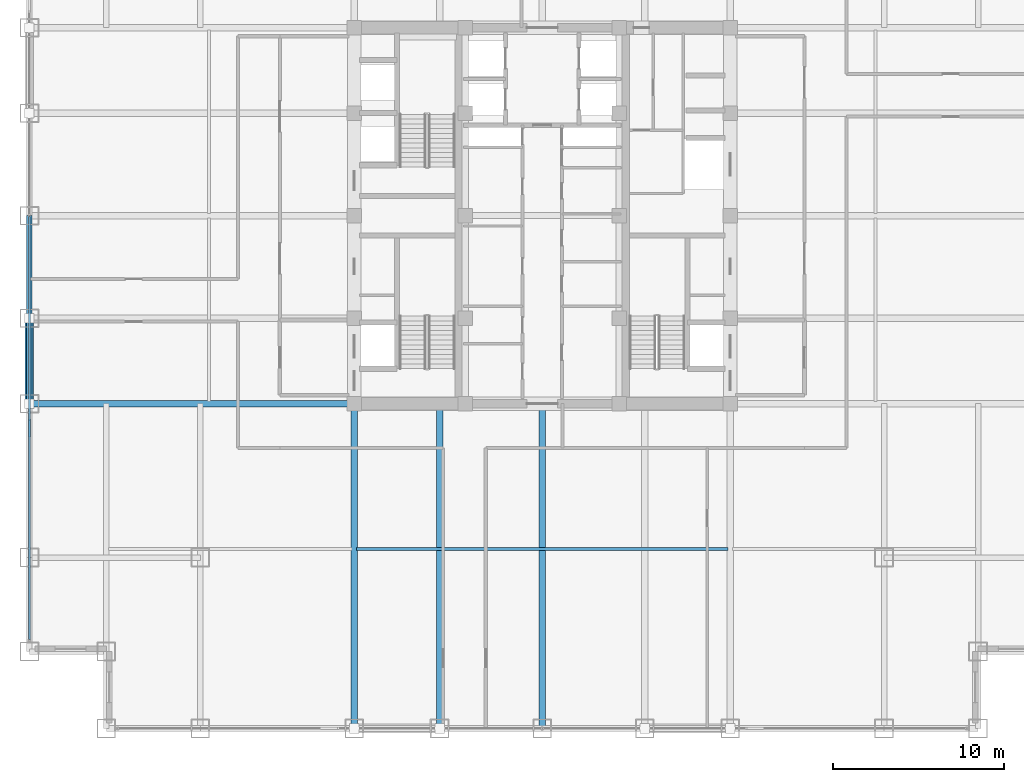
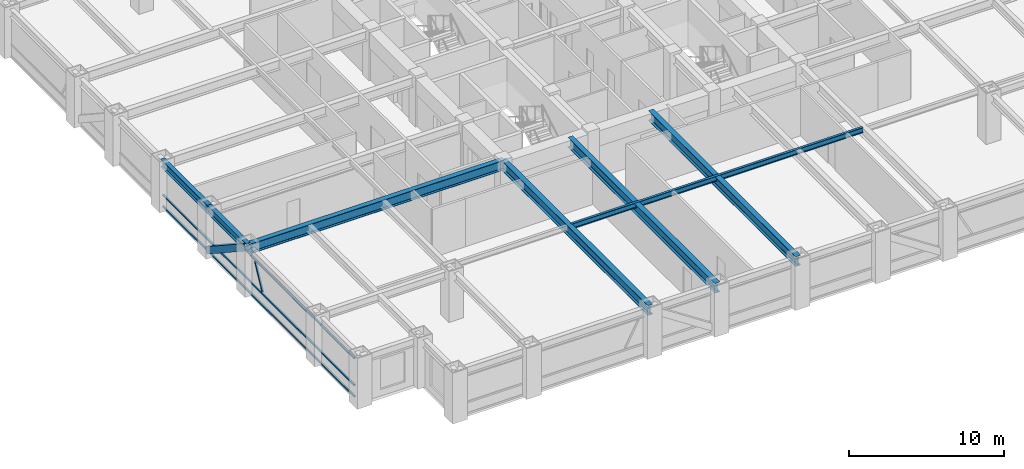
# One storey, part 5 of 24: 7 beams, 5 members, 1 element without a shape of its own.
"""IFC4 building model written with IfcOpenShell, lengths in metres."""

import ifcopenshell
import ifcopenshell.guid

model = None  # the IFC model being written
_history = None  # IfcOwnerHistory: only IFC2X3 demands one
_inside = {}  # id of a spatial element -> (the spatial element, [elements in it])
_under = {}  # id of a project, library or spatial element -> (it, [spatial elements below it])
_declared = {}  # id of a project -> (the project, [libraries it declares])
_typed = {}  # id of a type object -> (the type object, [elements of that type])
_made_of = {}  # id of a material, layer set ... -> (it, [elements and type objects made of it])


def new_model(schema):
    """Start an empty IFC model of exactly this schema.

    Asked for "IFC4X3", IfcOpenShell would pick the latest addendum, in which some entities
    have other attributes; the version numbers below select the first issue.
    IFC2X3 requires an IfcOwnerHistory on every rooted entity: one is made here for all.
    """
    global model, _history
    if schema == "IFC4X3":
        model = ifcopenshell.file(schema_version=(4, 3, 0, 0))
    else:
        model = ifcopenshell.file(schema=schema)
    _inside.clear()
    _under.clear()
    _declared.clear()
    _typed.clear()
    _made_of.clear()
    _history = None
    if model.schema == "IFC2X3":
        org = make("IfcOrganization", Name="unknown")
        user = make(
            "IfcPersonAndOrganization",
            ThePerson=make("IfcPerson", FamilyName="unknown"),
            TheOrganization=org,
        )
        app = make(
            "IfcApplication",
            ApplicationDeveloper=org,
            Version="unknown",
            ApplicationFullName="unknown",
            ApplicationIdentifier="unknown",
        )
        _history = make(
            "IfcOwnerHistory",
            OwningUser=user,
            OwningApplication=app,
            ChangeAction="ADDED",
            CreationDate=0,
        )
    return model


def make(cls, **values):
    """One entity of the class cls with the attributes given. An attribute that is None is left unset."""
    return model.create_entity(
        cls, **{name: value for name, value in values.items() if value is not None}
    )


def rooted(cls, **values):
    """An entity with a GlobalId (a new one), such as an element, a storey or a relation."""
    return make(cls, GlobalId=ifcopenshell.guid.new(), OwnerHistory=_history, **values)


def si_unit(unit_type, name, prefix=None):
    """IfcSIUnit, for example si_unit("LENGTHUNIT", "METRE", prefix="MILLI")."""
    return make("IfcSIUnit", UnitType=unit_type, Prefix=prefix, Name=name)


def assignment(units):
    """IfcUnitAssignment: the units of a project."""
    return None if units is None else make("IfcUnitAssignment", Units=units)


def point(xyz):
    """IfcCartesianPoint."""
    return None if xyz is None else make("IfcCartesianPoint", Coordinates=xyz)


def direction(xyz):
    """IfcDirection."""
    return None if xyz is None else make("IfcDirection", DirectionRatios=xyz)


def frame(location, z_axis=None, x_axis=None):
    """IfcAxis2Placement3D, a coordinate frame: its origin and axes. An axis left out is left unset."""
    return make(
        "IfcAxis2Placement3D",
        Location=point(location),
        Axis=direction(z_axis),
        RefDirection=direction(x_axis),
    )


def frame_2d(location, x_axis=None):
    """IfcAxis2Placement2D, a coordinate frame in the plane: its origin and x axis."""
    return make(
        "IfcAxis2Placement2D", Location=point(location), RefDirection=direction(x_axis)
    )


def origin():
    """The frame at (0, 0, 0) with its axes left unset."""
    return frame((0.0, 0.0, 0.0))


def origin_2d():
    """The frame at (0, 0) in the plane with its x axis left unset."""
    return frame_2d((0.0, 0.0))


def place(relative_to, where):
    """IfcLocalPlacement: puts the frame where relative to a parent placement (None: the world)."""
    return make(
        "IfcLocalPlacement", PlacementRelTo=relative_to, RelativePlacement=where
    )


def context(
    kind, dimensions, precision=None, world=None, true_north=None, identifier=None
):
    """IfcGeometricRepresentationContext, for example the 3D "Model" context."""
    return make(
        "IfcGeometricRepresentationContext",
        ContextIdentifier=identifier,
        ContextType=kind,
        CoordinateSpaceDimension=dimensions,
        Precision=precision,
        WorldCoordinateSystem=world,
        TrueNorth=true_north,
    )


def subcontext(parent, identifier, kind, view, scale=None):
    """IfcGeometricRepresentationSubContext, for example "Body" below "Model"."""
    return make(
        "IfcGeometricRepresentationSubContext",
        ContextIdentifier=identifier,
        ContextType=kind,
        ParentContext=parent,
        TargetScale=scale,
        TargetView=view,
    )


def project(units=None, contexts=None):
    """IfcProject with its units and contexts."""
    return rooted(
        "IfcProject",
        Name="project",
        RepresentationContexts=contexts,
        UnitsInContext=assignment(units),
    )


def spatial(cls, under=None, at=None, **own):
    """A site, building, storey or space (cls), placed at a placement, below another one or the project."""
    s = rooted(cls, ObjectPlacement=at, **own)
    if under is not None:
        _under.setdefault(under.id(), (under, []))[1].append(s)
    return s


def profile(cls, at=None, kind="AREA", **sizes):
    """A parametric profile (cls). Its sizes go by their IFC names, for example OverallWidth=200.0."""
    return make(cls, ProfileType=kind, Position=at, **sizes)


def hollow_rectangle(**sizes):
    """IfcRectangleHollowProfileDef."""
    return profile("IfcRectangleHollowProfileDef", **sizes)


def i_section(**sizes):
    """IfcIShapeProfileDef."""
    return profile("IfcIShapeProfileDef", **sizes)


def extrude(swept, where, along, depth):
    """IfcExtrudedAreaSolid: the profile swept, set in the frame where, extruded along a direction by depth."""
    return make(
        "IfcExtrudedAreaSolid",
        SweptArea=swept,
        Position=where,
        ExtrudedDirection=direction(along),
        Depth=depth,
    )


def shape(context_of_items, identifier, shape_type, items):
    """IfcShapeRepresentation: the items that make up one representation, for example the "Body"."""
    return make(
        "IfcShapeRepresentation",
        ContextOfItems=context_of_items,
        RepresentationIdentifier=identifier,
        RepresentationType=shape_type,
        Items=items,
    )


def source(mapping_origin, context_of_items, identifier, shape_type, items):
    """IfcRepresentationMap: a shape defined once, which mapped items show again and again."""
    return make(
        "IfcRepresentationMap",
        MappingOrigin=mapping_origin,
        MappedRepresentation=shape(context_of_items, identifier, shape_type, items),
    )


def transform(
    local_origin,
    x_axis=None,
    y_axis=None,
    z_axis=None,
    scale=None,
    scale2=None,
    scale3=None,
    uniform=True,
):
    """IfcCartesianTransformationOperator3D, or its non-uniform kind. x_axis, y_axis, z_axis: its Axis1, 2, 3."""
    if uniform:
        return make(
            "IfcCartesianTransformationOperator3D",
            Axis1=direction(x_axis),
            Axis2=direction(y_axis),
            LocalOrigin=point(local_origin),
            Scale=scale,
            Axis3=direction(z_axis),
        )
    return make(
        "IfcCartesianTransformationOperator3DnonUniform",
        Axis1=direction(x_axis),
        Axis2=direction(y_axis),
        LocalOrigin=point(local_origin),
        Scale=scale,
        Axis3=direction(z_axis),
        Scale2=scale2,
        Scale3=scale3,
    )


def mapped(mapping_source, mapping_target):
    """IfcMappedItem: shows the shape of a source again, moved by a transform."""
    return make(
        "IfcMappedItem", MappingSource=mapping_source, MappingTarget=mapping_target
    )


def material(Name=None, Category=None):
    """IfcMaterial."""
    return make("IfcMaterial", Name=Name, Category=Category)


def material_profile(
    of_material, cross_section, Name=None, Category=None, Priority=None
):
    """IfcMaterialProfile: a cross section and its material."""
    return make(
        "IfcMaterialProfile",
        Name=Name,
        Material=of_material,
        Profile=cross_section,
        Priority=Priority,
        Category=Category,
    )


def profile_set(profiles, Name=None, composite=None):
    """IfcMaterialProfileSet."""
    return make(
        "IfcMaterialProfileSet",
        Name=Name,
        MaterialProfiles=profiles,
        CompositeProfile=composite,
    )


def made_of(thing, what):
    """Note that an element or type object is made of a material, layer set ...; save() writes the relation."""
    if what is not None:
        _made_of.setdefault(what.id(), (what, []))[1].append(thing)
    return thing


def type_object(cls, material=None, **own):
    """A type object (cls), such as IfcWallType, which elements share."""
    return made_of(rooted(cls, **own), material)


def element(
    cls,
    number,
    at=None,
    inside=None,
    cuts=None,
    type_object=None,
    material=None,
    context=None,
    identifier="Body",
    shape_type=None,
    held_by="IfcProductDefinitionShape",
    body=None,
    shapes=None,
    **own,
):
    """One element of the class cls, such as IfcWall. Its Tag is "e" and its number.

    at: its placement. inside: the storey or other place that contains it. cuts: it is an
    opening in that element (IfcRelVoidsElement). A single representation is given by context,
    identifier, shape_type and body (its items); several are given by shapes. held_by: the class
    of the entity that holds the representations. save() writes the other relations.
    """
    e = rooted(cls, Tag="e%d" % number, ObjectPlacement=at, **own)
    if body is not None:
        shapes = [shape(context, identifier, shape_type, body)]
    if shapes is not None:
        e.Representation = make(held_by, Representations=shapes)
    if inside is not None:
        _inside.setdefault(inside.id(), (inside, []))[1].append(e)
    if cuts is not None:
        rooted(
            "IfcRelVoidsElement", RelatingBuildingElement=cuts, RelatedOpeningElement=e
        )
    if type_object is not None:
        _typed.setdefault(type_object.id(), (type_object, []))[1].append(e)
    return made_of(e, material)


def aggregate(whole, parts):
    """IfcRelAggregates: a whole, such as a stair, and the parts it consists of."""
    return rooted("IfcRelAggregates", RelatingObject=whole, RelatedObjects=parts)


def save(model, path):
    """Write the relations noted so far, then the file.

    IfcRelAggregates (storeys below a building ...), IfcRelContainedInSpatialStructure (elements
    in a storey), IfcRelDefinesByType, IfcRelAssociatesMaterial and IfcRelDeclares: one each for
    every whole, place, type object, material and project.
    """
    for whole, parts in _under.values():
        aggregate(whole, parts)
    for where, things in _inside.values():
        rooted(
            "IfcRelContainedInSpatialStructure",
            RelatedElements=things,
            RelatingStructure=where,
        )
    for kind, things in _typed.values():
        rooted("IfcRelDefinesByType", RelatedObjects=things, RelatingType=kind)
    for what, things in _made_of.values():
        rooted("IfcRelAssociatesMaterial", RelatedObjects=things, RelatingMaterial=what)
    for by, libraries in _declared.values():
        rooted("IfcRelDeclares", RelatingContext=by, RelatedDefinitions=libraries)
    model.write(path)


model = new_model("IFC4")

# Units and contexts
model_context = context("Model", 3, precision=1e-05, world=origin(), true_north=direction((0.0, 1.0)))
body_context = subcontext(model_context, "Body", "Model", "MODEL_VIEW")
ifc_project = project(units=[si_unit("LENGTHUNIT", "METRE"), si_unit("AREAUNIT", "SQUARE_METRE"), si_unit("VOLUMEUNIT", "CUBIC_METRE"), si_unit("PLANEANGLEUNIT", "RADIAN"), si_unit("MASSUNIT", "GRAM", prefix="KILO")], contexts=[model_context])

# Site, building, storey
site_placement = place(None, origin())
site = spatial("IfcSite", under=ifc_project, at=site_placement, CompositionType="ELEMENT")
building_placement = place(site_placement, origin())
building = spatial("IfcBuilding", under=site, at=building_placement, Name="Khorayat Bourse Tower", CompositionType="ELEMENT")
storey_placement = place(building_placement, frame((0.0, 0.0, 163.10009765625)))
storey = spatial("IfcBuildingStorey", under=building, at=storey_placement, Name="L37", CompositionType="ELEMENT", Elevation=163.10009765625)

# Beams
ifc_material_1 = material(Name="Steel ASTM A992 Grade 50", Category="steel")
ifc_material_profile_1 = material_profile(ifc_material_1, i_section(OverallWidth=0.381103515625, OverallDepth=0.77294921875, WebThickness=0.0166015625, FlangeThickness=0.027587890625, FilletRadius=0.01806640625, at=origin_2d()), Name="W760X257")
ifc_profile_set_1 = profile_set([ifc_material_profile_1], Name="Steel ASTM A992 Grade 50")
beam_type_1 = type_object("IfcBeamType", Name="BM-GIRD-760", PredefinedType="BEAM", material=ifc_profile_set_1)
shared_shape_1 = source(origin(), body_context, "Body", "SweptSolid", [
    extrude(i_section(OverallWidth=0.381103515625, OverallDepth=0.77294921875, WebThickness=0.0166015625, FlangeThickness=0.027587890625, FilletRadius=0.01806640625, at=origin_2d()), origin(), (0.0, 0.0, 1.0), 19.0),
])
for number, where, z_axis, x_axis, name in (
    (1, (-11.0, -30.0, 3.393310546875), (0.0, 1.0, 0.0), (-1.0, 0.0, 0.0), "L37 BM-GIRD-760 BM-L37-RADY-065"),
    (2, (-6.0, -30.0, 3.393310546875), (0.0, 1.0, 0.0), (-1.0, 0.0, 0.0), "L37 BM-GIRD-760 BM-L37-RADY-067"),
    (3, (0.0, -30.0, 3.393310546875), (0.0, 1.0, 0.0), (-1.0, 0.0, 0.0), "L37 BM-GIRD-760 BM-L37-RADY-069"),
    (4, (-30.0, -11.0, 3.393310546875), (1.0, 0.0, 0.0), (0.0, 1.0, 0.0), "L37 BM-GIRD-760 BM-L37-RADX-075"),
):
    element("IfcBeam", number, at=place(storey_placement, frame(where, z_axis=z_axis, x_axis=x_axis)), inside=storey, type_object=beam_type_1, Name=name, PredefinedType="BEAM", context=body_context, shape_type="MappedRepresentation", body=[
        mapped(shared_shape_1, transform((0.0, 0.0, 0.0), scale=1.0)),
    ])
ifc_material_profile_2 = material_profile(ifc_material_1, i_section(OverallWidth=0.180908203125, OverallDepth=0.4169921875, WebThickness=0.010986328125, FlangeThickness=0.018310546875, FilletRadius=0.011962890625, at=origin_2d()), Name="W410X85")
ifc_profile_set_2 = profile_set([ifc_material_profile_2], Name="Steel ASTM A992 Grade 50")
beam_type_2 = type_object("IfcBeamType", Name="BM-JOIST-410", PredefinedType="JOIST", material=ifc_profile_set_2)
shared_shape_2 = source(origin(), body_context, "Body", "SweptSolid", [
    extrude(i_section(OverallWidth=0.180908203125, OverallDepth=0.4169921875, WebThickness=0.010986328125, FlangeThickness=0.018310546875, FilletRadius=0.011962890625, at=origin_2d()), origin(), (0.0, 0.0, 1.0), 21.740234375),
])
beam_1_placement = place(storey_placement, frame((-10.8701171875, -19.5, 3.5712890625), z_axis=(1.0, 0.0, 0.0), x_axis=(0.0, 1.0, 0.0)))
element("IfcBeam", 5, at=beam_1_placement, inside=storey, type_object=beam_type_2, Name="L37 BM-JOIST-410 BM-L37-JSTX-097", PredefinedType="JOIST", context=body_context, shape_type="MappedRepresentation", body=[
    mapped(shared_shape_2, transform((0.0, 0.0, 0.0), scale=1.0)),
])
ifc_material_profile_3 = material_profile(ifc_material_1, i_section(OverallWidth=0.324951171875, OverallDepth=0.615966796875, WebThickness=0.013916015625, FlangeThickness=0.021484375, FilletRadius=0.01611328125, at=origin_2d()), Name="W610X174")
ifc_profile_set_3 = profile_set([ifc_material_profile_3], Name="Steel ASTM A992 Grade 50")
beam_type_3 = type_object("IfcBeamType", Name="BM-SPAN-610", PredefinedType="SPANDREL", material=ifc_profile_set_3)
shared_shape_3 = source(origin(), body_context, "Body", "SweptSolid", [
    extrude(i_section(OverallWidth=0.324951171875, OverallDepth=0.615966796875, WebThickness=0.013916015625, FlangeThickness=0.021484375, FilletRadius=0.01611328125, at=origin_2d()), origin(), (0.0, 0.0, 1.0), 5.0),
])
beam_2_placement = place(storey_placement, frame((-30.0, -11.0, 3.471923828125), z_axis=(0.0, 1.0, 0.0), x_axis=(-1.0, 0.0, 0.0)))
element("IfcBeam", 6, at=beam_2_placement, inside=storey, type_object=beam_type_3, Name="L37 BM-SPAN-610 BM-L37-SPN-059", PredefinedType="SPANDREL", context=body_context, shape_type="MappedRepresentation", body=[
    mapped(shared_shape_3, transform((0.0, 0.0, 0.0), scale=1.0)),
])
shared_shape_4 = source(origin(), body_context, "Body", "SweptSolid", [
    extrude(i_section(OverallWidth=0.324951171875, OverallDepth=0.615966796875, WebThickness=0.013916015625, FlangeThickness=0.021484375, FilletRadius=0.01611328125, at=origin_2d()), origin(), (0.0, 0.0, 1.0), 6.0),
])
beam_3_placement = place(storey_placement, frame((-30.0, -6.0, 3.471923828125), z_axis=(0.0, 1.0, 0.0), x_axis=(-1.0, 0.0, 0.0)))
element("IfcBeam", 7, at=beam_3_placement, inside=storey, type_object=beam_type_3, Name="L37 BM-SPAN-610 BM-L37-SPN-058", PredefinedType="SPANDREL", context=body_context, shape_type="MappedRepresentation", body=[
    mapped(shared_shape_4, transform((0.0, 0.0, 0.0), scale=1.0)),
])

# Member
ifc_material_2 = material(Name="Steel EN 10025-4 S460M", Category="steel")
ifc_material_profile_4 = material_profile(ifc_material_2, hollow_rectangle(XDim=0.5, YDim=0.5, WallThickness=0.028076171875, at=origin_2d()), Name="HSS 500x500x28")
ifc_profile_set_4 = profile_set([ifc_material_profile_4], Name="Steel EN 10025-4 S460M")
member_type_1 = type_object("IfcMemberType", Name="MBR-TUBE-500", PredefinedType="BRACE", material=ifc_profile_set_4)
shared_shape_5 = source(origin(), body_context, "Body", "SweptSolid", [
    extrude(hollow_rectangle(XDim=0.5, YDim=0.5, WallThickness=0.028076171875, at=origin_2d()), origin(), (0.0, 0.0, 1.0), 5.979736328125),
])
member_1_placement = place(storey_placement, frame((-30.0, -11.0, 3.52978515625), z_axis=(0.0, 0.836160261256, -0.548485202623), x_axis=(-1.0, 0.0, 0.0)))
element("IfcMember", 8, at=member_1_placement, inside=storey, type_object=member_type_1, Name="L37 Perimeter Tube Brace 05", PredefinedType="BRACE", context=body_context, shape_type="MappedRepresentation", body=[
    mapped(shared_shape_5, transform((0.0, 0.0, 0.0), scale=1.0)),
])

# Curtain wall, members
ifc_material_3 = material(Name="Aluminium EN AW-6063 T6", Category="aluminium")
curtain_wall_type = type_object("IfcCurtainWallType", Name="CW-SYS-03", PredefinedType="NOTDEFINED", material=ifc_material_3)
curtain_wall_placement = place(storey_placement, origin())
curtain_wall = element("IfcCurtainWall", 9, at=curtain_wall_placement, inside=storey, type_object=curtain_wall_type, Name="L37 Curtain Wall CW-L37-W1", PredefinedType="NOTDEFINED")
ifc_material_profile_5 = material_profile(ifc_material_3, hollow_rectangle(XDim=0.1201171875, YDim=0.1201171875, WallThickness=0.0048828125, at=origin_2d()), Name="ALU 120x120x5")
ifc_profile_set_5 = profile_set([ifc_material_profile_5], Name="Aluminium EN AW-6063 T6")
member_type_2 = type_object("IfcMemberType", Name="CWM-DIAG-120", PredefinedType="MULLION", material=ifc_profile_set_5)
shared_shape_6 = source(origin(), body_context, "Body", "SweptSolid", [
    extrude(hollow_rectangle(XDim=0.1201171875, YDim=0.1201171875, WallThickness=0.0048828125, at=origin_2d()), origin(), (0.0, 0.0, 1.0), 2.079345703125),
])
member_2_placement = place(storey_placement, frame((-30.0, -12.904296875, 1.08984375), z_axis=(0.0, 0.465760949701, 0.884910581773), x_axis=(-1.0, 0.0, 0.0)))
member_2 = element("IfcMember", 10, at=member_2_placement, type_object=member_type_2, Name="CW-L37-W1 Faceted Diagonal Mullion 1", PredefinedType="MULLION", context=body_context, shape_type="MappedRepresentation", body=[
    mapped(shared_shape_6, transform((0.0, 0.0, 0.0), scale=1.0)),
])
ifc_material_profile_6 = material_profile(ifc_material_3, hollow_rectangle(XDim=0.1201171875, YDim=0.1201171875, WallThickness=0.0048828125, at=origin_2d()), Name="ALU 120x120x5")
ifc_profile_set_6 = profile_set([ifc_material_profile_6], Name="Aluminium EN AW-6063 T6")
member_type_3 = type_object("IfcMemberType", Name="CWT-HORZ-120", PredefinedType="USERDEFINED", material=ifc_profile_set_6)
shared_shape_7 = source(origin(), body_context, "Body", "SweptSolid", [
    extrude(hollow_rectangle(XDim=0.1201171875, YDim=0.1201171875, WallThickness=0.0048828125, at=origin_2d()), origin(), (0.0, 0.0, 1.0), 24.719970703125),
])
member_3_placement = place(storey_placement, frame((-30.0, -24.780029296875, 0.059814453125), z_axis=(0.0, 1.0, 0.0), x_axis=(-1.0, 0.0, 0.0)))
member_3 = element("IfcMember", 11, at=member_3_placement, type_object=member_type_3, Name="CW-L37-W1 Horizontal Transom 1-1", ObjectType="TRANSOM", PredefinedType="USERDEFINED", context=body_context, shape_type="MappedRepresentation", body=[
    mapped(shared_shape_7, transform((0.0, 0.0, 0.0), scale=1.0)),
])
member_4_placement = place(storey_placement, frame((-30.0, -24.780029296875, 0.949951171875), z_axis=(0.0, 1.0, 0.0), x_axis=(-1.0, 0.0, 0.0)))
member_4 = element("IfcMember", 12, at=member_4_placement, type_object=member_type_3, Name="CW-L37-W1 Horizontal Transom 1-2", ObjectType="TRANSOM", PredefinedType="USERDEFINED", context=body_context, shape_type="MappedRepresentation", body=[
    mapped(shared_shape_7, transform((0.0, 0.0, 0.0), scale=1.0)),
])
member_5_placement = place(storey_placement, frame((-30.0, -24.780029296875, 3.06982421875), z_axis=(0.0, 1.0, 0.0), x_axis=(-1.0, 0.0, 0.0)))
member_5 = element("IfcMember", 13, at=member_5_placement, type_object=member_type_3, Name="CW-L37-W1 Horizontal Transom 1-3", ObjectType="TRANSOM", PredefinedType="USERDEFINED", context=body_context, shape_type="MappedRepresentation", body=[
    mapped(shared_shape_7, transform((0.0, 0.0, 0.0), scale=1.0)),
])
aggregate(curtain_wall, [member_3, member_4, member_5, member_2])

save(model, "model.ifc")
